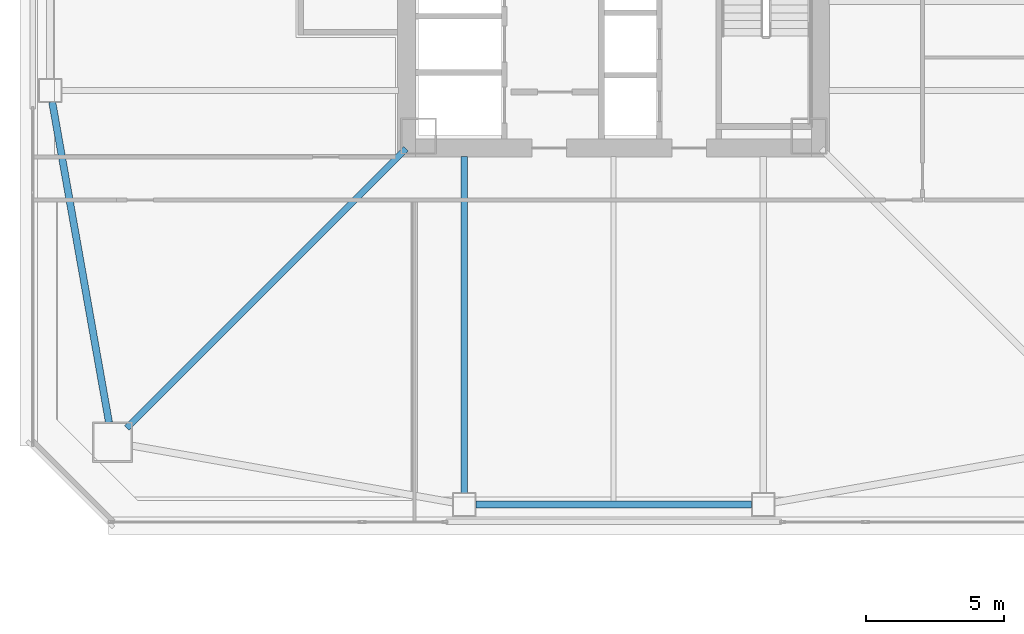
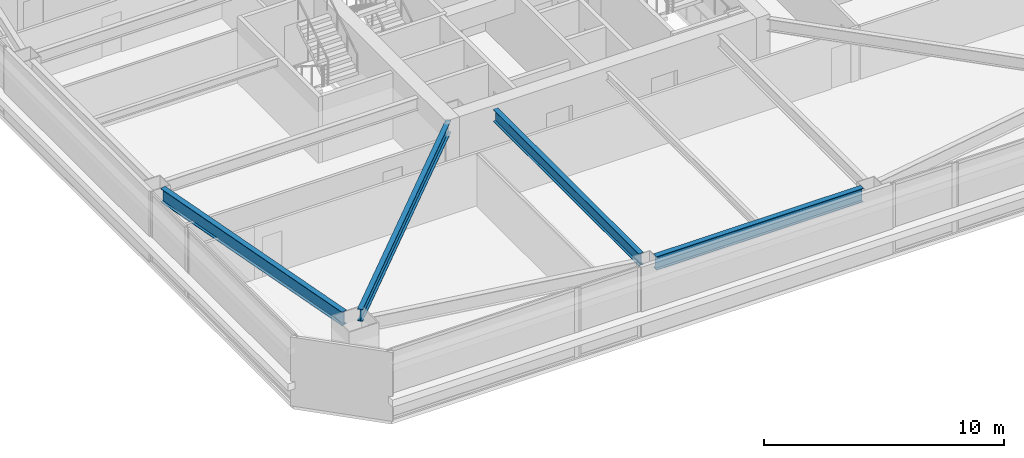
# One storey, part 4 of 46: 4 beams.
"""IFC4 building model written with IfcOpenShell, lengths in metres."""

from ifc_helpers import new_model, si_unit, direction, frame, origin, origin_2d, place, context, subcontext, project, spatial, i_section, extrude, material, material_profile, profile_set, type_object, element, save


model = new_model("IFC4")

# Units and contexts
model_context = context("Model", 3, precision=1e-05, world=origin(), true_north=direction((0.0, 1.0)))
body_context = subcontext(model_context, "Body", "Model", "MODEL_VIEW")
ifc_project = project(units=[si_unit("LENGTHUNIT", "METRE"), si_unit("AREAUNIT", "SQUARE_METRE"), si_unit("VOLUMEUNIT", "CUBIC_METRE"), si_unit("PLANEANGLEUNIT", "RADIAN"), si_unit("MASSUNIT", "GRAM", prefix="KILO")], contexts=[model_context])

# Site, building, storey
site_placement = place(None, origin())
site = spatial("IfcSite", under=ifc_project, at=site_placement, CompositionType="ELEMENT")
building_placement = place(site_placement, origin())
building = spatial("IfcBuilding", under=site, at=building_placement, Name="Tashvorn Skyway Center", CompositionType="ELEMENT")
storey_placement = place(building_placement, frame((0.0, 0.0, 99.14990234375)))
storey = spatial("IfcBuildingStorey", under=building, at=storey_placement, Name="L26", CompositionType="ELEMENT", Elevation=99.14990234375)

# Beams
ifc_material = material(Name="Steel ASTM A992 Grade 50", Category="steel")
ifc_material_profile_1 = material_profile(ifc_material, i_section(OverallWidth=0.22998046875, OverallDepth=0.616943359375, WebThickness=0.01318359375, FlangeThickness=0.022216796875, at=origin_2d()), Name="W24X94")
ifc_profile_set_1 = profile_set([ifc_material_profile_1], Name="Steel ASTM A992 Grade 50")
beam_type_1 = type_object("IfcBeamType", Name="BM-BEAM-W24X94", PredefinedType="BEAM", material=ifc_profile_set_1)
beam_1_placement = place(storey_placement, frame((24.4091796875, 14.4091796875, 3.04150390625), z_axis=(0.707106781187, 0.707106781187, 0.0), x_axis=(-0.707106781187, 0.707106781187, 0.0)))
element("IfcBeam", 1, at=beam_1_placement, inside=storey, type_object=beam_type_1, Name="Tower 1 L26 Primary Floor Girder MC-SW", PredefinedType="BEAM", context=body_context, shape_type="SweptSolid", body=[
    extrude(i_section(OverallWidth=0.22998046875, OverallDepth=0.616943359375, WebThickness=0.01318359375, FlangeThickness=0.022216796875, at=origin_2d()), origin(), (0.0, 0.0, 1.0), 14.261962890625),
])
beam_2_placement = place(storey_placement, frame((36.60009765625, 12.070068359375, 3.04150390625), z_axis=(0.0, 1.0, 0.0), x_axis=(-1.0, 0.0, 0.0)))
element("IfcBeam", 2, at=beam_2_placement, inside=storey, type_object=beam_type_1, Name="Tower 1 L26 Primary Floor Girder FC-S1", PredefinedType="BEAM", context=body_context, shape_type="SweptSolid", body=[
    extrude(i_section(OverallWidth=0.22998046875, OverallDepth=0.616943359375, WebThickness=0.01318359375, FlangeThickness=0.022216796875, at=origin_2d()), origin(), (0.0, 0.0, 1.0), 12.14990234375),
])
ifc_material_profile_2 = material_profile(ifc_material, i_section(OverallWidth=0.256103515625, OverallDepth=0.693115234375, WebThickness=0.014404296875, FlangeThickness=0.023681640625, at=origin_2d()), Name="W27X114")
ifc_profile_set_2 = profile_set([ifc_material_profile_2], Name="Steel ASTM A992 Grade 50")
beam_type_2 = type_object("IfcBeamType", Name="BM-SPANDREL-W27X114", PredefinedType="SPANDREL", material=ifc_profile_set_2)
beam_3_placement = place(storey_placement, frame((37.02001953125, 11.64990234375, 3.003662109375), z_axis=(1.0, 0.0, 0.0), x_axis=(0.0, 1.0, 0.0)))
element("IfcBeam", 3, at=beam_3_placement, inside=storey, type_object=beam_type_2, Name="Tower 1 L26 Spandrel Beam 02", PredefinedType="SPANDREL", context=body_context, shape_type="SweptSolid", body=[
    extrude(i_section(OverallWidth=0.256103515625, OverallDepth=0.693115234375, WebThickness=0.014404296875, FlangeThickness=0.023681640625, at=origin_2d()), origin(), (0.0, 0.0, 1.0), 9.9599609375),
])
beam_4_placement = place(storey_placement, frame((21.723388671875, 26.1865234375, 3.003662109375), z_axis=(0.174437966698, -0.98466816531, 0.0), x_axis=(0.98466816531, 0.174437966698, 0.0)))
element("IfcBeam", 4, at=beam_4_placement, inside=storey, type_object=beam_type_2, Name="Tower 1 L26 Spandrel Beam 12", PredefinedType="SPANDREL", context=body_context, shape_type="SweptSolid", body=[
    extrude(i_section(OverallWidth=0.256103515625, OverallDepth=0.693115234375, WebThickness=0.014404296875, FlangeThickness=0.023681640625, at=origin_2d()), origin(), (0.0, 0.0, 1.0), 11.7578125),
])

save(model, "model.ifc")
